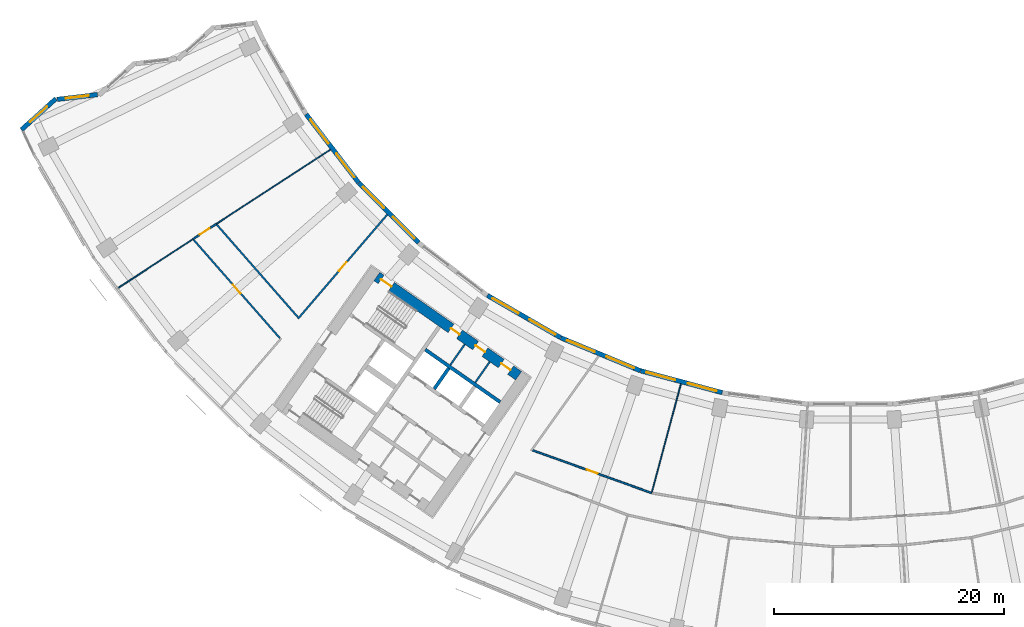
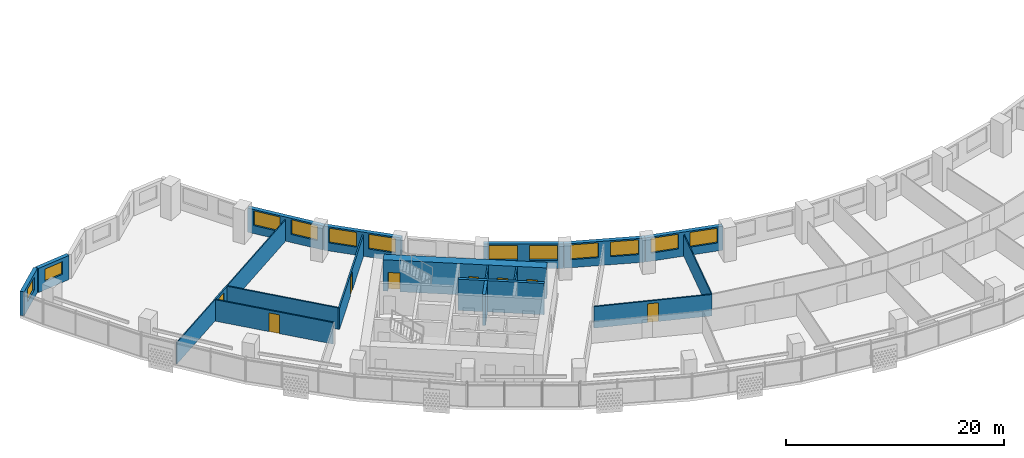
# One storey, part 4 of 29: 20 walls, 12 windows, 8 doors, 20 openings.
"""IFC4 building model written with IfcOpenShell, lengths in metres."""

from ifc_helpers import new_model, si_unit, direction, frame, frame_2d, origin, place, context, subcontext, project, spatial, rectangle, extrude, material, layer, layer_set, type_object, element, fill, save


model = new_model("IFC4")

# Units and contexts
model_context = context("Model", 3, precision=1e-05, world=origin(), true_north=direction((0.0, 1.0)))
body_context = subcontext(model_context, "Body", "Model", "MODEL_VIEW")
ifc_project = project(units=[si_unit("LENGTHUNIT", "METRE"), si_unit("AREAUNIT", "SQUARE_METRE"), si_unit("VOLUMEUNIT", "CUBIC_METRE"), si_unit("PLANEANGLEUNIT", "RADIAN"), si_unit("MASSUNIT", "GRAM", prefix="KILO")], contexts=[model_context])

# Site, building, storey
site_placement = place(None, origin())
site = spatial("IfcSite", under=ifc_project, at=site_placement, CompositionType="ELEMENT")
building_placement = place(site_placement, origin())
building = spatial("IfcBuilding", under=site, at=building_placement, Name="Qamariyya Broadcast Tower", CompositionType="ELEMENT")
storey_placement = place(building_placement, frame((0.0, 0.0, 113.89990234375)))
storey = spatial("IfcBuildingStorey", under=building, at=storey_placement, Name="L25", CompositionType="ELEMENT", Elevation=113.89990234375)

# Wall, openings, doors
ifc_material_1 = material(Name="Concrete C70/85", Category="concrete")
ifc_layer_1 = layer(ifc_material_1, 0.89990234375)
ifc_layer_set_1 = layer_set([ifc_layer_1], Name="Core wall 900 mm Concrete C70/85")
wall_type_1 = type_object("IfcWallType", Name="Core wall 900 mm Concrete C70/85", PredefinedType="SHEAR", material=ifc_layer_set_1)
wall_1_placement = place(storey_placement, frame((-28.8544921875, -54.32421875, 0.0), z_axis=(0.0, 0.0, 1.0), x_axis=(-0.819145767589, 0.573585400304, 0.0)))
wall_1 = element("IfcWall", 1, at=wall_1_placement, inside=storey, type_object=wall_type_1, Name="k-W-L25-WI", PredefinedType="SHEAR", context=body_context, shape_type="SweptSolid", body=[
    extrude(rectangle(XDim=15.04541015625, YDim=0.89990234375, at=frame_2d((7.522705078125, 0.0))), origin(), (0.0, 0.0, 1.0), 3.5),
])
opening_1_placement = place(wall_1_placement, frame((0.85009765625, 0.0, 0.0)))
opening_1 = element("IfcOpeningElement", 2, at=opening_1_placement, cuts=wall_1, Name="Opening KD6-W3", PredefinedType="OPENING", context=body_context, shape_type="SweptSolid", body=[
    extrude(rectangle(XDim=1.0, YDim=2.10009765625, at=frame_2d((0.5, 1.050048828125))), frame((0.0, 0.4599609375, 0.0), z_axis=(0.0, -1.0, 0.0), x_axis=(1.0, 0.0, 0.0)), (0.0, 0.0, 1.0), 0.919921875),
])
opening_2_placement = place(wall_1_placement, frame((3.574951171875, 0.0, 0.0)))
opening_2 = element("IfcOpeningElement", 3, at=opening_2_placement, cuts=wall_1, Name="Opening KD7-W1", PredefinedType="OPENING", context=body_context, shape_type="SweptSolid", body=[
    extrude(rectangle(XDim=1.0, YDim=2.10009765625, at=frame_2d((0.5, 1.050048828125))), frame((0.0, 0.4599609375, 0.0), z_axis=(0.0, -1.0, 0.0), x_axis=(1.0, 0.0, 0.0)), (0.0, 0.0, 1.0), 0.919921875),
])
opening_3_placement = place(wall_1_placement, frame((6.27490234375, 0.0, 0.0)))
opening_3 = element("IfcOpeningElement", 4, at=opening_3_placement, cuts=wall_1, Name="Opening KD5-W1", PredefinedType="OPENING", context=body_context, shape_type="SweptSolid", body=[
    extrude(rectangle(XDim=0.89990234375, YDim=2.10009765625, at=frame_2d((0.449951171875, 1.050048828125))), frame((0.0, 0.4599609375, 0.0), z_axis=(0.0, -1.0, 0.0), x_axis=(1.0, 0.0, 0.0)), (0.0, 0.0, 1.0), 0.919921875),
])
opening_4_placement = place(wall_1_placement, frame((13.495361328125, 0.0, 0.0)))
opening_4 = element("IfcOpeningElement", 5, at=opening_4_placement, cuts=wall_1, Name="Opening KD1-W1", PredefinedType="OPENING", context=body_context, shape_type="SweptSolid", body=[
    extrude(rectangle(XDim=1.10009765625, YDim=2.10009765625, at=frame_2d((0.550048828125, 1.050048828125))), frame((0.0, 0.4599609375, 0.0), z_axis=(0.0, -1.0, 0.0), x_axis=(1.0, 0.0, 0.0)), (0.0, 0.0, 1.0), 0.919921875),
])
ifc_material_2 = material(Name="Steel fire-resisting door leaf", Category="steel")
door_type_1 = type_object("IfcDoorType", Name="Accessible toilet door KD7", OperationType="SINGLE_SWING_LEFT", PredefinedType="DOOR", material=ifc_material_2)
door_1_placement = place(opening_2_placement, origin())
door_1 = element("IfcDoor", 6, at=door_1_placement, inside=storey, type_object=door_type_1, Name="k-W-L25-WI-D9", OperationType="SINGLE_SWING_RIGHT", OverallHeight=2.10009765625, OverallWidth=1.0, PredefinedType="DOOR", context=body_context, shape_type="SweptSolid", body=[
    extrude(rectangle(XDim=1.0, YDim=2.10009765625, at=frame_2d((0.5, 1.050048828125))), frame((0.0, 0.02490234375, 0.0), z_axis=(0.0, -1.0, 0.0), x_axis=(1.0, 0.0, 0.0)), (0.0, 0.0, 1.0), 0.050048828125),
])
fill(opening_2, door_1)
door_type_2 = type_object("IfcDoorType", Name="Core room door KD6", OperationType="SINGLE_SWING_LEFT", PredefinedType="DOOR", material=ifc_material_2)
door_2_placement = place(opening_1_placement, origin())
door_2 = element("IfcDoor", 7, at=door_2_placement, inside=storey, type_object=door_type_2, Name="k-W-L25-WI-D8", OperationType="SINGLE_SWING_LEFT", OverallHeight=2.10009765625, OverallWidth=1.0, PredefinedType="DOOR", context=body_context, shape_type="SweptSolid", body=[
    extrude(rectangle(XDim=1.0, YDim=2.10009765625, at=frame_2d((0.5, 1.050048828125))), frame((0.0, 0.02490234375, 0.0), z_axis=(0.0, -1.0, 0.0), x_axis=(1.0, 0.0, 0.0)), (0.0, 0.0, 1.0), 0.050048828125),
])
fill(opening_1, door_2)
door_type_3 = type_object("IfcDoorType", Name="Stair door KD1", OperationType="SINGLE_SWING_LEFT", PredefinedType="DOOR", material=ifc_material_2)
door_3_placement = place(opening_4_placement, origin())
door_3 = element("IfcDoor", 8, at=door_3_placement, inside=storey, type_object=door_type_3, Name="k-W-L25-WI-D17", OperationType="SINGLE_SWING_RIGHT", OverallHeight=2.10009765625, OverallWidth=1.10009765625, PredefinedType="DOOR", context=body_context, shape_type="SweptSolid", body=[
    extrude(rectangle(XDim=1.10009765625, YDim=2.10009765625, at=frame_2d((0.550048828125, 1.050048828125))), frame((0.0, 0.02490234375, 0.0), z_axis=(0.0, -1.0, 0.0), x_axis=(1.0, 0.0, 0.0)), (0.0, 0.0, 1.0), 0.050048828125),
])
fill(opening_4, door_3)
door_type_4 = type_object("IfcDoorType", Name="Toilet door KD5", OperationType="SINGLE_SWING_LEFT", PredefinedType="DOOR", material=ifc_material_2)
door_4_placement = place(opening_3_placement, origin())
door_4 = element("IfcDoor", 9, at=door_4_placement, inside=storey, type_object=door_type_4, Name="k-W-L25-WI-D10", OperationType="SINGLE_SWING_LEFT", OverallHeight=2.10009765625, OverallWidth=0.89990234375, PredefinedType="DOOR", context=body_context, shape_type="SweptSolid", body=[
    extrude(rectangle(XDim=0.89990234375, YDim=2.10009765625, at=frame_2d((0.449951171875, 1.050048828125))), frame((0.0, 0.02490234375, 0.0), z_axis=(0.0, -1.0, 0.0), x_axis=(1.0, 0.0, 0.0)), (0.0, 0.0, 1.0), 0.050048828125),
])
fill(opening_3, door_4)

# Wall, opening, door
ifc_material_3 = material(Name="Gypsum board partition")
ifc_layer_2 = layer(ifc_material_3, 0.14990234375)
ifc_layer_set_2 = layer_set([ifc_layer_2], Name="Corridor partition 150 EI 60")
wall_type_2 = type_object("IfcWallType", Name="Corridor partition 150 EI 60", PredefinedType="PARTITIONING", material=ifc_layer_set_2)
wall_2_placement = place(storey_placement, frame((-57.16162109375, -42.44970703125, 0.0), z_axis=(0.0, 0.0, 1.0), x_axis=(0.837554034944, 0.546354498974, 0.0)))
wall_2 = element("IfcWall", 10, at=wall_2_placement, inside=storey, type_object=wall_type_2, Name="Partition L25-002", PredefinedType="PARTITIONING", context=body_context, shape_type="SweptSolid", body=[
    extrude(rectangle(XDim=2.404541015625, YDim=0.14990234375, at=frame_2d((1.2021484375, 0.0))), origin(), (0.0, 0.0, 1.0), 2.400146484375),
])
opening_5_placement = place(wall_2_placement, frame((0.702392578125, 0.0, 0.0)))
opening_5 = element("IfcOpeningElement", 11, at=opening_5_placement, cuts=wall_2, Name="Opening L25-D16", PredefinedType="OPENING", context=body_context, shape_type="SweptSolid", body=[
    extrude(rectangle(XDim=1.0, YDim=2.10009765625, at=frame_2d((0.5, 1.050048828125))), frame((0.0, 0.0849609375, 0.0), z_axis=(0.0, -1.0, 0.0), x_axis=(1.0, 0.0, 0.0)), (0.0, 0.0, 1.0), 0.169921875),
])
ifc_material_4 = material(Name="Timber fire door leaf", Category="wood")
door_type_5 = type_object("IfcDoorType", Name="Fire door 1000 x 2100 FD60", OperationType="NOTDEFINED", PredefinedType="DOOR", material=ifc_material_4)
door_5_placement = place(opening_5_placement, origin())
door_5 = element("IfcDoor", 12, at=door_5_placement, inside=storey, type_object=door_type_5, Name="Door L25-D16", OperationType="SINGLE_SWING_RIGHT", OverallHeight=2.10009765625, OverallWidth=1.0, PredefinedType="DOOR", context=body_context, shape_type="SweptSolid", body=[
    extrude(rectangle(XDim=1.0, YDim=2.10009765625, at=frame_2d((0.5, 1.050048828125))), frame((0.0, 0.02490234375, 0.0), z_axis=(0.0, -1.0, 0.0), x_axis=(1.0, 0.0, 0.0)), (0.0, 0.0, 1.0), 0.050048828125),
])
fill(opening_5, door_5)

wall_3_placement = place(storey_placement, frame((-49.59716796875, -51.075439453125, 0.0), z_axis=(0.0, 0.0, 1.0), x_axis=(-0.659347342495, 0.751838467987, 0.0)))
wall_3 = element("IfcWall", 13, at=wall_3_placement, inside=storey, type_object=wall_type_2, Name="Partition L25-004", PredefinedType="PARTITIONING", context=body_context, shape_type="SweptSolid", body=[
    extrude(rectangle(XDim=11.39794921875, YDim=0.14990234375, at=frame_2d((5.698974609375, 0.0))), origin(), (0.0, 0.0, 1.0), 2.400146484375),
])
opening_6_placement = place(wall_3_placement, frame((5.198974609375, 0.0, 0.0)))
opening_6 = element("IfcOpeningElement", 14, at=opening_6_placement, cuts=wall_3, Name="Opening L25-D15", PredefinedType="OPENING", context=body_context, shape_type="SweptSolid", body=[
    extrude(rectangle(XDim=1.0, YDim=2.10009765625, at=frame_2d((0.5, 1.050048828125))), frame((0.0, 0.0849609375, 0.0), z_axis=(0.0, -1.0, 0.0), x_axis=(1.0, 0.0, 0.0)), (0.0, 0.0, 1.0), 0.169921875),
])
door_6_placement = place(opening_6_placement, origin())
door_6 = element("IfcDoor", 15, at=door_6_placement, inside=storey, type_object=door_type_5, Name="Door L25-D15", OperationType="SINGLE_SWING_RIGHT", OverallHeight=2.10009765625, OverallWidth=1.0, PredefinedType="DOOR", context=body_context, shape_type="SweptSolid", body=[
    extrude(rectangle(XDim=1.0, YDim=2.10009765625, at=frame_2d((0.5, 1.050048828125))), frame((0.0, 0.02490234375, 0.0), z_axis=(0.0, -1.0, 0.0), x_axis=(1.0, 0.0, 0.0)), (0.0, 0.0, 1.0), 0.050048828125),
])
fill(opening_6, door_6)

# Wall
wall_4_placement = place(storey_placement, frame((-48.03173828125, -49.250244140625, 0.0), z_axis=(0.0, 0.0, 1.0), x_axis=(-0.659337984036, 0.751846675066, 0.0)))
element("IfcWall", 16, at=wall_4_placement, inside=storey, type_object=wall_type_2, Name="Partition L25-006", PredefinedType="PARTITIONING", context=body_context, shape_type="SweptSolid", body=[
    extrude(rectangle(XDim=10.717529296875, YDim=0.14990234375, at=frame_2d((5.35888671875, 0.0))), origin(), (0.0, 0.0, 1.0), 2.400146484375),
])

# Wall, opening, door
wall_5_placement = place(storey_placement, frame((-48.031005859375, -49.363525390625, 0.0), z_axis=(0.0, 0.0, 1.0), x_axis=(0.650981860867, 0.759093285982, 0.0)))
wall_5 = element("IfcWall", 17, at=wall_5_placement, inside=storey, type_object=wall_type_2, Name="Partition L25-007", PredefinedType="PARTITIONING", context=body_context, shape_type="SweptSolid", body=[
    extrude(rectangle(XDim=11.92578125, YDim=0.14990234375, at=frame_2d((5.962890625, 0.0))), origin(), (0.0, 0.0, 1.0), 2.400146484375),
])
opening_7_placement = place(wall_5_placement, frame((5.462890625, 0.0, 0.0)))
opening_7 = element("IfcOpeningElement", 18, at=opening_7_placement, cuts=wall_5, Name="Opening L25-D14", PredefinedType="OPENING", context=body_context, shape_type="SweptSolid", body=[
    extrude(rectangle(XDim=1.0, YDim=2.10009765625, at=frame_2d((0.5, 1.050048828125))), frame((0.0, 0.0849609375, 0.0), z_axis=(0.0, -1.0, 0.0), x_axis=(1.0, 0.0, 0.0)), (0.0, 0.0, 1.0), 0.169921875),
])
door_7_placement = place(opening_7_placement, origin())
door_7 = element("IfcDoor", 19, at=door_7_placement, inside=storey, type_object=door_type_5, Name="Door L25-D14", OperationType="SINGLE_SWING_RIGHT", OverallHeight=2.10009765625, OverallWidth=1.0, PredefinedType="DOOR", context=body_context, shape_type="SweptSolid", body=[
    extrude(rectangle(XDim=1.0, YDim=2.10009765625, at=frame_2d((0.5, 1.050048828125))), frame((0.0, 0.02490234375, 0.0), z_axis=(0.0, -1.0, 0.0), x_axis=(1.0, 0.0, 0.0)), (0.0, 0.0, 1.0), 0.050048828125),
])
fill(opening_7, door_7)

wall_6_placement = place(storey_placement, frame((-27.64013671875, -60.806640625, 0.0), z_axis=(0.0, 0.0, 1.0), x_axis=(0.941150861554, -0.337986768669, 0.0)))
wall_6 = element("IfcWall", 20, at=wall_6_placement, inside=storey, type_object=wall_type_2, Name="Partition L25-010", PredefinedType="PARTITIONING", context=body_context, shape_type="SweptSolid", body=[
    extrude(rectangle(XDim=10.998291015625, YDim=0.14990234375, at=frame_2d((5.4990234375, 0.0))), origin(), (0.0, 0.0, 1.0), 2.400146484375),
])
opening_8_placement = place(wall_6_placement, frame((4.9990234375, 0.0, 0.0)))
opening_8 = element("IfcOpeningElement", 21, at=opening_8_placement, cuts=wall_6, Name="Opening L25-D08", PredefinedType="OPENING", context=body_context, shape_type="SweptSolid", body=[
    extrude(rectangle(XDim=1.0, YDim=2.10009765625, at=frame_2d((0.5, 1.050048828125))), frame((0.0, 0.0849609375, 0.0), z_axis=(0.0, -1.0, 0.0), x_axis=(1.0, 0.0, 0.0)), (0.0, 0.0, 1.0), 0.169921875),
])
door_8_placement = place(opening_8_placement, origin())
door_8 = element("IfcDoor", 22, at=door_8_placement, inside=storey, type_object=door_type_5, Name="Door L25-D08", OperationType="SINGLE_SWING_RIGHT", OverallHeight=2.10009765625, OverallWidth=1.0, PredefinedType="DOOR", context=body_context, shape_type="SweptSolid", body=[
    extrude(rectangle(XDim=1.0, YDim=2.10009765625, at=frame_2d((0.5, 1.050048828125))), frame((0.0, 0.02490234375, 0.0), z_axis=(0.0, -1.0, 0.0), x_axis=(1.0, 0.0, 0.0)), (0.0, 0.0, 1.0), 0.050048828125),
])
fill(opening_8, door_8)

# Walls
ifc_material_5 = material(Name="Gypsum board partition on steel studs", Category="steel")
ifc_layer_3 = layer(ifc_material_5, 0.14990234375)
ifc_layer_set_3 = layer_set([ifc_layer_3], Name="Gypsum board partition 150 mm")
wall_type_3 = type_object("IfcWallType", Name="Gypsum board partition 150 mm", PredefinedType="PARTITIONING", material=ifc_layer_set_3)
for number, where, z_axis, x_axis, name in (
    (23, (-32.627197265625, -54.91748046875, 0.0), (0.0, 0.0, 1.0), (0.573507030513, 0.819200638399, 0.0), "k-W-L25-NP275"),
    (24, (-34.798095703125, -53.3974609375, 0.0), (0.0, 0.0, 1.0), (0.573633636671, 0.819111989218, 0.0), "k-W-L25-NP540"),
):
    element("IfcWall", number, at=place(storey_placement, frame(where, z_axis=z_axis, x_axis=x_axis)), inside=storey, type_object=wall_type_3, Name=name, PredefinedType="PARTITIONING", context=body_context, shape_type="SweptSolid", body=[
        extrude(rectangle(XDim=2.199951171875, YDim=0.14990234375, at=frame_2d((1.10009765625, 0.0))), origin(), (0.0, 0.0, 1.0), 3.5),
    ])
ifc_material_6 = material(Name="Concrete C60/75", Category="concrete")
ifc_layer_4 = layer(ifc_material_6, 0.300048828125)
ifc_layer_set_4 = layer_set([ifc_layer_4], Name="Lift shaft wall 300 mm Concrete C60/75")
wall_type_4 = type_object("IfcWallType", Name="Lift shaft wall 300 mm Concrete C60/75", PredefinedType="SOLIDWALL", material=ifc_layer_set_4)
wall_7_placement = place(storey_placement, frame((-30.460693359375, -56.61767578125, 0.0), z_axis=(0.0, 0.0, 1.0), x_axis=(-0.819142461705, 0.573590121456, 0.0)))
element("IfcWall", 25, at=wall_7_placement, inside=storey, type_object=wall_type_4, Name="k-W-L25-NB0", PredefinedType="SOLIDWALL", context=body_context, shape_type="SweptSolid", body=[
    extrude(rectangle(XDim=7.949951171875, YDim=0.300048828125, at=frame_2d((3.97509765625, 0.0))), origin(), (0.0, 0.0, 1.0), 3.5),
])
wall_8_placement = place(storey_placement, frame((-36.19091796875, -55.47412109375, 0.0), z_axis=(0.0, 0.0, 1.0), x_axis=(0.573507030513, 0.819200638399, 0.0)))
element("IfcWall", 26, at=wall_8_placement, inside=storey, type_object=wall_type_4, Name="k-W-L25-ND1", PredefinedType="SOLIDWALL", context=body_context, shape_type="SweptSolid", body=[
    extrude(rectangle(XDim=2.199951171875, YDim=0.300048828125, at=frame_2d((1.10009765625, 0.0))), origin(), (0.0, 0.0, 1.0), 3.5),
])
ifc_layer_5 = layer(ifc_material_3, 0.10009765625)
ifc_layer_set_5 = layer_set([ifc_layer_5], Name="Partition 100")
wall_type_5 = type_object("IfcWallType", Name="Partition 100", PredefinedType="PARTITIONING", material=ifc_layer_set_5)
wall_9_placement = place(storey_placement, frame((-63.6630859375, -46.690673828125, 0.0), z_axis=(0.0, 0.0, 1.0), x_axis=(0.837558660213, 0.546347408433, 0.0)))
element("IfcWall", 27, at=wall_9_placement, inside=storey, type_object=wall_type_5, Name="Partition L25-001", PredefinedType="PARTITIONING", context=body_context, shape_type="SweptSolid", body=[
    extrude(rectangle(XDim=7.762451171875, YDim=0.10009765625, at=frame_2d((3.88134765625, 0.0))), origin(), (0.0, 0.0, 1.0), 2.400146484375),
])
wall_10_placement = place(storey_placement, frame((-55.147705078125, -41.135986328125, 0.0), z_axis=(0.0, 0.0, 1.0), x_axis=(0.837561412918, 0.546343188473, 0.0)))
element("IfcWall", 28, at=wall_10_placement, inside=storey, type_object=wall_type_5, Name="Partition L25-003", PredefinedType="PARTITIONING", context=body_context, shape_type="SweptSolid", body=[
    extrude(rectangle(XDim=11.850830078125, YDim=0.10009765625, at=frame_2d((5.92529296875, 0.0))), origin(), (0.0, 0.0, 1.0), 2.400146484375),
])
wall_11_placement = place(storey_placement, frame((-14.7470703125, -55.037109375, 0.0), z_axis=(0.0, 0.0, 1.0), x_axis=(-0.258833329344, -0.965921998725, 0.0)))
element("IfcWall", 29, at=wall_11_placement, inside=storey, type_object=wall_type_5, Name="Partition L25-015", PredefinedType="PARTITIONING", context=body_context, shape_type="SweptSolid", body=[
    extrude(rectangle(XDim=9.746337890625, YDim=0.10009765625, at=frame_2d((4.873046875, 0.0))), origin(), (0.0, 0.0, 1.0), 2.400146484375),
])

# Wall, opening, window
ifc_material_7 = material(Name="Terracotta", Category="masonry")
ifc_layer_6 = layer(ifc_material_7, 0.39990234375)
ifc_layer_set_6 = layer_set([ifc_layer_6], Name="Terracotta clad wall 400")
wall_type_6 = type_object("IfcWallType", Name="Terracotta clad wall 400", PredefinedType="SOLIDWALL", material=ifc_layer_set_6)
wall_12_placement = place(storey_placement, frame((-65.468505859375, -29.88330078125, 0.0), z_axis=(0.0, 0.0, 1.0), x_axis=(-0.993161943315, -0.116744825799, 0.0)))
wall_12 = element("IfcWall", 30, at=wall_12_placement, inside=storey, type_object=wall_type_6, Name="e-wl-L25-capW4", PredefinedType="SOLIDWALL", context=body_context, shape_type="SweptSolid", body=[
    extrude(rectangle(XDim=3.52587890625, YDim=0.39990234375, at=frame_2d((1.762939453125, 0.0))), origin(), (0.0, 0.0, 1.0), 2.7001953125),
])
opening_9_placement = place(wall_12_placement, frame((0.762939453125, 0.0, 0.89990234375)))
opening_9 = element("IfcOpeningElement", 31, at=opening_9_placement, cuts=wall_12, Name="Opening W4", PredefinedType="OPENING", context=body_context, shape_type="SweptSolid", body=[
    extrude(rectangle(XDim=2.0, YDim=1.425048828125, at=frame_2d((1.0, 0.71240234375))), frame((0.0, 0.2099609375, 0.0), z_axis=(0.0, -1.0, 0.0), x_axis=(1.0, 0.0, 0.0)), (0.0, 0.0, 1.0), 0.419921875),
])
ifc_material_8 = material(Name="Clear low-e double glazed unit in aluminium frame", Category="aluminium")
window_type_1 = type_object("IfcWindowType", Name="Horn bay window 2000 x 1425", PartitioningType="SINGLE_PANEL", PredefinedType="WINDOW", material=ifc_material_8)
window_1_placement = place(opening_9_placement, origin())
window_1 = element("IfcWindow", 32, at=window_1_placement, inside=storey, type_object=window_type_1, Name="e-w-L25-capW4", OverallHeight=1.425048828125, OverallWidth=2.0, PartitioningType="SINGLE_PANEL", PredefinedType="WINDOW", context=body_context, shape_type="SweptSolid", body=[
    extrude(rectangle(XDim=2.0, YDim=1.425048828125, at=frame_2d((1.0, 0.71240234375))), frame((0.0, 0.030029296875, 0.0), z_axis=(0.0, -1.0, 0.0), x_axis=(1.0, 0.0, 0.0)), (0.0, 0.0, 1.0), 0.06005859375),
])
fill(opening_9, window_1)

wall_13_placement = place(storey_placement, frame((-69.092529296875, -30.242431640625, 0.0), z_axis=(0.0, 0.0, 1.0), x_axis=(-0.742604128478, -0.669730623734, 0.0)))
wall_13 = element("IfcWall", 33, at=wall_13_placement, inside=storey, type_object=wall_type_6, Name="e-wl-L25-capW5", PredefinedType="SOLIDWALL", context=body_context, shape_type="SweptSolid", body=[
    extrude(rectangle(XDim=4.013427734375, YDim=0.39990234375, at=frame_2d((2.0068359375, 0.0))), origin(), (0.0, 0.0, 1.0), 2.7001953125),
])
opening_10_placement = place(wall_13_placement, frame((1.0068359375, 0.0, 0.89990234375)))
opening_10 = element("IfcOpeningElement", 34, at=opening_10_placement, cuts=wall_13, Name="Opening W4", PredefinedType="OPENING", context=body_context, shape_type="SweptSolid", body=[
    extrude(rectangle(XDim=2.0, YDim=1.425048828125, at=frame_2d((1.0, 0.71240234375))), frame((0.0, 0.2099609375, 0.0), z_axis=(0.0, -1.0, 0.0), x_axis=(1.0, 0.0, 0.0)), (0.0, 0.0, 1.0), 0.419921875),
])
window_2_placement = place(opening_10_placement, origin())
window_2 = element("IfcWindow", 35, at=window_2_placement, inside=storey, type_object=window_type_1, Name="e-w-L25-capW5", OverallHeight=1.425048828125, OverallWidth=2.0, PartitioningType="SINGLE_PANEL", PredefinedType="WINDOW", context=body_context, shape_type="SweptSolid", body=[
    extrude(rectangle(XDim=2.0, YDim=1.425048828125, at=frame_2d((1.0, 0.71240234375))), frame((0.0, 0.030029296875, 0.0), z_axis=(0.0, -1.0, 0.0), x_axis=(1.0, 0.0, 0.0)), (0.0, 0.0, 1.0), 0.06005859375),
])
fill(opening_10, window_2)

# Wall, openings, windows
wall_14_placement = place(storey_placement, frame((-42.764892578125, -37.536865234375, 0.0), z_axis=(0.0, 0.0, 1.0), x_axis=(-0.608748204711, 0.793363487476, 0.0)))
wall_14 = element("IfcWall", 36, at=wall_14_placement, inside=storey, type_object=wall_type_6, Name="e-wl-L25-in20", PredefinedType="SOLIDWALL", context=body_context, shape_type="SweptSolid", body=[
    extrude(rectangle(XDim=7.492919921875, YDim=0.39990234375, at=frame_2d((3.74658203125, 0.0))), origin(), (0.0, 0.0, 1.0), 2.7001953125),
])
opening_11_placement = place(wall_14_placement, frame((4.300537109375, 0.0, 0.89990234375)))
opening_11 = element("IfcOpeningElement", 37, at=opening_11_placement, cuts=wall_14, Name="Opening W1", PredefinedType="OPENING", context=body_context, shape_type="SweptSolid", body=[
    extrude(rectangle(XDim=2.60009765625, YDim=1.64990234375, at=frame_2d((1.300048828125, 0.824951171875))), frame((0.0, 0.2099609375, 0.0), z_axis=(0.0, -1.0, 0.0), x_axis=(1.0, 0.0, 0.0)), (0.0, 0.0, 1.0), 0.419921875),
])
opening_12_placement = place(wall_14_placement, frame((0.59228515625, 0.0, 0.89990234375)))
opening_12 = element("IfcOpeningElement", 38, at=opening_12_placement, cuts=wall_14, Name="Opening W1", PredefinedType="OPENING", context=body_context, shape_type="SweptSolid", body=[
    extrude(rectangle(XDim=2.60009765625, YDim=1.64990234375, at=frame_2d((1.300048828125, 0.824951171875))), frame((0.0, 0.2099609375, 0.0), z_axis=(0.0, -1.0, 0.0), x_axis=(1.0, 0.0, 0.0)), (0.0, 0.0, 1.0), 0.419921875),
])
window_type_2 = type_object("IfcWindowType", Name="Ribbon window 2600 x 1650", PartitioningType="SINGLE_PANEL", PredefinedType="WINDOW", material=ifc_material_8)
window_3_placement = place(opening_11_placement, origin())
window_3 = element("IfcWindow", 39, at=window_3_placement, inside=storey, type_object=window_type_2, Name="e-w-L25-in02-0", OverallHeight=1.64990234375, OverallWidth=2.60009765625, PartitioningType="SINGLE_PANEL", PredefinedType="WINDOW", context=body_context, shape_type="SweptSolid", body=[
    extrude(rectangle(XDim=2.60009765625, YDim=1.64990234375, at=frame_2d((1.300048828125, 0.824951171875))), frame((0.0, 0.030029296875, 0.0), z_axis=(0.0, -1.0, 0.0), x_axis=(1.0, 0.0, 0.0)), (0.0, 0.0, 1.0), 0.06005859375),
])
fill(opening_11, window_3)
window_4_placement = place(opening_12_placement, origin())
window_4 = element("IfcWindow", 40, at=window_4_placement, inside=storey, type_object=window_type_2, Name="e-w-L25-in02-1", OverallHeight=1.64990234375, OverallWidth=2.60009765625, PartitioningType="SINGLE_PANEL", PredefinedType="WINDOW", context=body_context, shape_type="SweptSolid", body=[
    extrude(rectangle(XDim=2.60009765625, YDim=1.64990234375, at=frame_2d((1.300048828125, 0.824951171875))), frame((0.0, 0.030029296875, 0.0), z_axis=(0.0, -1.0, 0.0), x_axis=(1.0, 0.0, 0.0)), (0.0, 0.0, 1.0), 0.06005859375),
])
fill(opening_12, window_4)

wall_15_placement = place(storey_placement, frame((-37.552978515625, -42.744140625, 0.0), z_axis=(0.0, 0.0, 1.0), x_axis=(-0.707106781187, 0.707106781187, 0.0)))
wall_15 = element("IfcWall", 41, at=wall_15_placement, inside=storey, type_object=wall_type_6, Name="e-wl-L25-in30", PredefinedType="SOLIDWALL", context=body_context, shape_type="SweptSolid", body=[
    extrude(rectangle(XDim=7.34130859375, YDim=0.39990234375, at=frame_2d((3.670654296875, 0.0))), origin(), (0.0, 0.0, 1.0), 2.7001953125),
])
opening_13_placement = place(wall_15_placement, frame((4.224853515625, 0.0, 0.89990234375)))
opening_13 = element("IfcOpeningElement", 42, at=opening_13_placement, cuts=wall_15, Name="Opening W1", PredefinedType="OPENING", context=body_context, shape_type="SweptSolid", body=[
    extrude(rectangle(XDim=2.60009765625, YDim=1.64990234375, at=frame_2d((1.300048828125, 0.824951171875))), frame((0.0, 0.2099609375, 0.0), z_axis=(0.0, -1.0, 0.0), x_axis=(1.0, 0.0, 0.0)), (0.0, 0.0, 1.0), 0.419921875),
])
opening_14_placement = place(wall_15_placement, frame((0.5166015625, 0.0, 0.89990234375)))
opening_14 = element("IfcOpeningElement", 43, at=opening_14_placement, cuts=wall_15, Name="Opening W1", PredefinedType="OPENING", context=body_context, shape_type="SweptSolid", body=[
    extrude(rectangle(XDim=2.60009765625, YDim=1.64990234375, at=frame_2d((1.300048828125, 0.824951171875))), frame((0.0, 0.2099609375, 0.0), z_axis=(0.0, -1.0, 0.0), x_axis=(1.0, 0.0, 0.0)), (0.0, 0.0, 1.0), 0.419921875),
])
window_5_placement = place(opening_13_placement, origin())
window_5 = element("IfcWindow", 44, at=window_5_placement, inside=storey, type_object=window_type_2, Name="e-w-L25-in03-0", OverallHeight=1.64990234375, OverallWidth=2.60009765625, PartitioningType="SINGLE_PANEL", PredefinedType="WINDOW", context=body_context, shape_type="SweptSolid", body=[
    extrude(rectangle(XDim=2.60009765625, YDim=1.64990234375, at=frame_2d((1.300048828125, 0.824951171875))), frame((0.0, 0.030029296875, 0.0), z_axis=(0.0, -1.0, 0.0), x_axis=(1.0, 0.0, 0.0)), (0.0, 0.0, 1.0), 0.06005859375),
])
fill(opening_13, window_5)
window_6_placement = place(opening_14_placement, origin())
window_6 = element("IfcWindow", 45, at=window_6_placement, inside=storey, type_object=window_type_2, Name="e-w-L25-in03-1", OverallHeight=1.64990234375, OverallWidth=2.60009765625, PartitioningType="SINGLE_PANEL", PredefinedType="WINDOW", context=body_context, shape_type="SweptSolid", body=[
    extrude(rectangle(XDim=2.60009765625, YDim=1.64990234375, at=frame_2d((1.300048828125, 0.824951171875))), frame((0.0, 0.030029296875, 0.0), z_axis=(0.0, -1.0, 0.0), x_axis=(1.0, 0.0, 0.0)), (0.0, 0.0, 1.0), 0.06005859375),
])
fill(opening_14, window_6)

wall_16_placement = place(storey_placement, frame((-25.21044921875, -51.007080078125, 0.0), z_axis=(0.0, 0.0, 1.0), x_axis=(-0.866030525931, 0.499991128077, 0.0)))
wall_16 = element("IfcWall", 46, at=wall_16_placement, inside=storey, type_object=wall_type_6, Name="e-wl-L25-in50", PredefinedType="SOLIDWALL", context=body_context, shape_type="SweptSolid", body=[
    extrude(rectangle(XDim=7.341552734375, YDim=0.39990234375, at=frame_2d((3.6708984375, 0.0))), origin(), (0.0, 0.0, 1.0), 2.7001953125),
])
opening_15_placement = place(wall_16_placement, frame((4.224853515625, 0.0, 0.89990234375)))
opening_15 = element("IfcOpeningElement", 47, at=opening_15_placement, cuts=wall_16, Name="Opening W1", PredefinedType="OPENING", context=body_context, shape_type="SweptSolid", body=[
    extrude(rectangle(XDim=2.60009765625, YDim=1.64990234375, at=frame_2d((1.300048828125, 0.824951171875))), frame((0.0, 0.2099609375, 0.0), z_axis=(0.0, -1.0, 0.0), x_axis=(1.0, 0.0, 0.0)), (0.0, 0.0, 1.0), 0.419921875),
])
opening_16_placement = place(wall_16_placement, frame((0.5166015625, 0.0, 0.89990234375)))
opening_16 = element("IfcOpeningElement", 48, at=opening_16_placement, cuts=wall_16, Name="Opening W1", PredefinedType="OPENING", context=body_context, shape_type="SweptSolid", body=[
    extrude(rectangle(XDim=2.60009765625, YDim=1.64990234375, at=frame_2d((1.300048828125, 0.824951171875))), frame((0.0, 0.2099609375, 0.0), z_axis=(0.0, -1.0, 0.0), x_axis=(1.0, 0.0, 0.0)), (0.0, 0.0, 1.0), 0.419921875),
])
window_7_placement = place(opening_15_placement, origin())
window_7 = element("IfcWindow", 49, at=window_7_placement, inside=storey, type_object=window_type_2, Name="e-w-L25-in05-0", OverallHeight=1.64990234375, OverallWidth=2.60009765625, PartitioningType="SINGLE_PANEL", PredefinedType="WINDOW", context=body_context, shape_type="SweptSolid", body=[
    extrude(rectangle(XDim=2.60009765625, YDim=1.64990234375, at=frame_2d((1.300048828125, 0.824951171875))), frame((0.0, 0.030029296875, 0.0), z_axis=(0.0, -1.0, 0.0), x_axis=(1.0, 0.0, 0.0)), (0.0, 0.0, 1.0), 0.06005859375),
])
fill(opening_15, window_7)
window_8_placement = place(opening_16_placement, origin())
window_8 = element("IfcWindow", 50, at=window_8_placement, inside=storey, type_object=window_type_2, Name="e-w-L25-in05-1", OverallHeight=1.64990234375, OverallWidth=2.60009765625, PartitioningType="SINGLE_PANEL", PredefinedType="WINDOW", context=body_context, shape_type="SweptSolid", body=[
    extrude(rectangle(XDim=2.60009765625, YDim=1.64990234375, at=frame_2d((1.300048828125, 0.824951171875))), frame((0.0, 0.030029296875, 0.0), z_axis=(0.0, -1.0, 0.0), x_axis=(1.0, 0.0, 0.0)), (0.0, 0.0, 1.0), 0.06005859375),
])
fill(opening_16, window_8)

wall_17_placement = place(storey_placement, frame((-18.266845703125, -53.890380859375, 0.0), z_axis=(0.0, 0.0, 1.0), x_axis=(-0.923879826967, 0.382682721486, 0.0)))
wall_17 = element("IfcWall", 51, at=wall_17_placement, inside=storey, type_object=wall_type_6, Name="e-wl-L25-in60", PredefinedType="SOLIDWALL", context=body_context, shape_type="SweptSolid", body=[
    extrude(rectangle(XDim=7.492919921875, YDim=0.39990234375, at=frame_2d((3.74658203125, 0.0))), origin(), (0.0, 0.0, 1.0), 2.7001953125),
])
opening_17_placement = place(wall_17_placement, frame((4.300537109375, 0.0, 0.89990234375)))
opening_17 = element("IfcOpeningElement", 52, at=opening_17_placement, cuts=wall_17, Name="Opening W1", PredefinedType="OPENING", context=body_context, shape_type="SweptSolid", body=[
    extrude(rectangle(XDim=2.60009765625, YDim=1.64990234375, at=frame_2d((1.300048828125, 0.824951171875))), frame((0.0, 0.2099609375, 0.0), z_axis=(0.0, -1.0, 0.0), x_axis=(1.0, 0.0, 0.0)), (0.0, 0.0, 1.0), 0.419921875),
])
opening_18_placement = place(wall_17_placement, frame((0.59228515625, 0.0, 0.89990234375)))
opening_18 = element("IfcOpeningElement", 53, at=opening_18_placement, cuts=wall_17, Name="Opening W1", PredefinedType="OPENING", context=body_context, shape_type="SweptSolid", body=[
    extrude(rectangle(XDim=2.60009765625, YDim=1.64990234375, at=frame_2d((1.300048828125, 0.824951171875))), frame((0.0, 0.2099609375, 0.0), z_axis=(0.0, -1.0, 0.0), x_axis=(1.0, 0.0, 0.0)), (0.0, 0.0, 1.0), 0.419921875),
])
window_9_placement = place(opening_17_placement, origin())
window_9 = element("IfcWindow", 54, at=window_9_placement, inside=storey, type_object=window_type_2, Name="e-w-L25-in06-0", OverallHeight=1.64990234375, OverallWidth=2.60009765625, PartitioningType="SINGLE_PANEL", PredefinedType="WINDOW", context=body_context, shape_type="SweptSolid", body=[
    extrude(rectangle(XDim=2.60009765625, YDim=1.64990234375, at=frame_2d((1.300048828125, 0.824951171875))), frame((0.0, 0.030029296875, 0.0), z_axis=(0.0, -1.0, 0.0), x_axis=(1.0, 0.0, 0.0)), (0.0, 0.0, 1.0), 0.06005859375),
])
fill(opening_17, window_9)
window_10_placement = place(opening_18_placement, origin())
window_10 = element("IfcWindow", 55, at=window_10_placement, inside=storey, type_object=window_type_2, Name="e-w-L25-in06-1", OverallHeight=1.64990234375, OverallWidth=2.60009765625, PartitioningType="SINGLE_PANEL", PredefinedType="WINDOW", context=body_context, shape_type="SweptSolid", body=[
    extrude(rectangle(XDim=2.60009765625, YDim=1.64990234375, at=frame_2d((1.300048828125, 0.824951171875))), frame((0.0, 0.030029296875, 0.0), z_axis=(0.0, -1.0, 0.0), x_axis=(1.0, 0.0, 0.0)), (0.0, 0.0, 1.0), 0.06005859375),
])
fill(opening_18, window_10)

wall_18_placement = place(storey_placement, frame((-11.149658203125, -55.7939453125, 0.0), z_axis=(0.0, 0.0, 1.0), x_axis=(-0.965924597867, 0.258823629594, 0.0)))
wall_18 = element("IfcWall", 56, at=wall_18_placement, inside=storey, type_object=wall_type_6, Name="e-wl-L25-in70", PredefinedType="SOLIDWALL", context=body_context, shape_type="SweptSolid", body=[
    extrude(rectangle(XDim=7.341552734375, YDim=0.39990234375, at=frame_2d((3.6708984375, 0.0))), origin(), (0.0, 0.0, 1.0), 2.7001953125),
])
opening_19_placement = place(wall_18_placement, frame((4.224853515625, 0.0, 0.89990234375)))
opening_19 = element("IfcOpeningElement", 57, at=opening_19_placement, cuts=wall_18, Name="Opening W1", PredefinedType="OPENING", context=body_context, shape_type="SweptSolid", body=[
    extrude(rectangle(XDim=2.60009765625, YDim=1.64990234375, at=frame_2d((1.300048828125, 0.824951171875))), frame((0.0, 0.2099609375, 0.0), z_axis=(0.0, -1.0, 0.0), x_axis=(1.0, 0.0, 0.0)), (0.0, 0.0, 1.0), 0.419921875),
])
opening_20_placement = place(wall_18_placement, frame((0.5166015625, 0.0, 0.89990234375)))
opening_20 = element("IfcOpeningElement", 58, at=opening_20_placement, cuts=wall_18, Name="Opening W1", PredefinedType="OPENING", context=body_context, shape_type="SweptSolid", body=[
    extrude(rectangle(XDim=2.60009765625, YDim=1.64990234375, at=frame_2d((1.300048828125, 0.824951171875))), frame((0.0, 0.2099609375, 0.0), z_axis=(0.0, -1.0, 0.0), x_axis=(1.0, 0.0, 0.0)), (0.0, 0.0, 1.0), 0.419921875),
])
window_11_placement = place(opening_19_placement, origin())
window_11 = element("IfcWindow", 59, at=window_11_placement, inside=storey, type_object=window_type_2, Name="e-w-L25-in07-0", OverallHeight=1.64990234375, OverallWidth=2.60009765625, PartitioningType="SINGLE_PANEL", PredefinedType="WINDOW", context=body_context, shape_type="SweptSolid", body=[
    extrude(rectangle(XDim=2.60009765625, YDim=1.64990234375, at=frame_2d((1.300048828125, 0.824951171875))), frame((0.0, 0.030029296875, 0.0), z_axis=(0.0, -1.0, 0.0), x_axis=(1.0, 0.0, 0.0)), (0.0, 0.0, 1.0), 0.06005859375),
])
fill(opening_19, window_11)
window_12_placement = place(opening_20_placement, origin())
window_12 = element("IfcWindow", 60, at=window_12_placement, inside=storey, type_object=window_type_2, Name="e-w-L25-in07-1", OverallHeight=1.64990234375, OverallWidth=2.60009765625, PartitioningType="SINGLE_PANEL", PredefinedType="WINDOW", context=body_context, shape_type="SweptSolid", body=[
    extrude(rectangle(XDim=2.60009765625, YDim=1.64990234375, at=frame_2d((1.300048828125, 0.824951171875))), frame((0.0, 0.030029296875, 0.0), z_axis=(0.0, -1.0, 0.0), x_axis=(1.0, 0.0, 0.0)), (0.0, 0.0, 1.0), 0.06005859375),
])
fill(opening_20, window_12)

save(model, "model.ifc")
